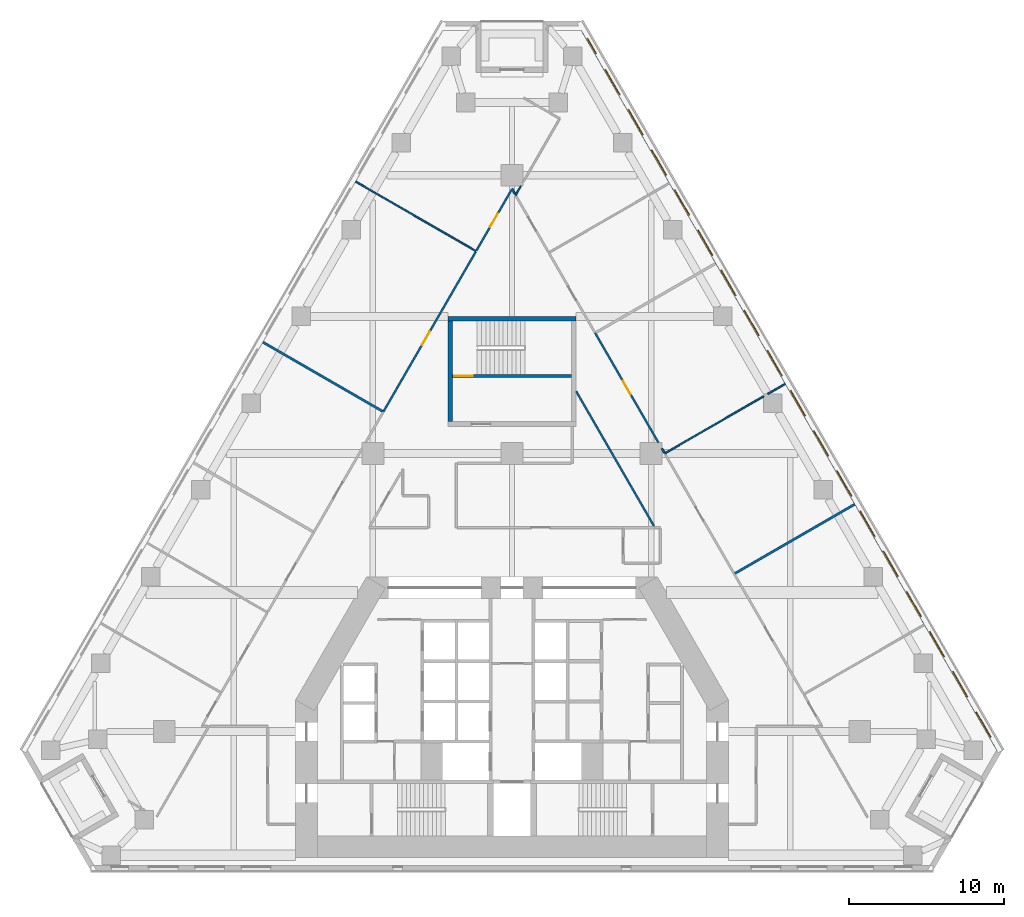
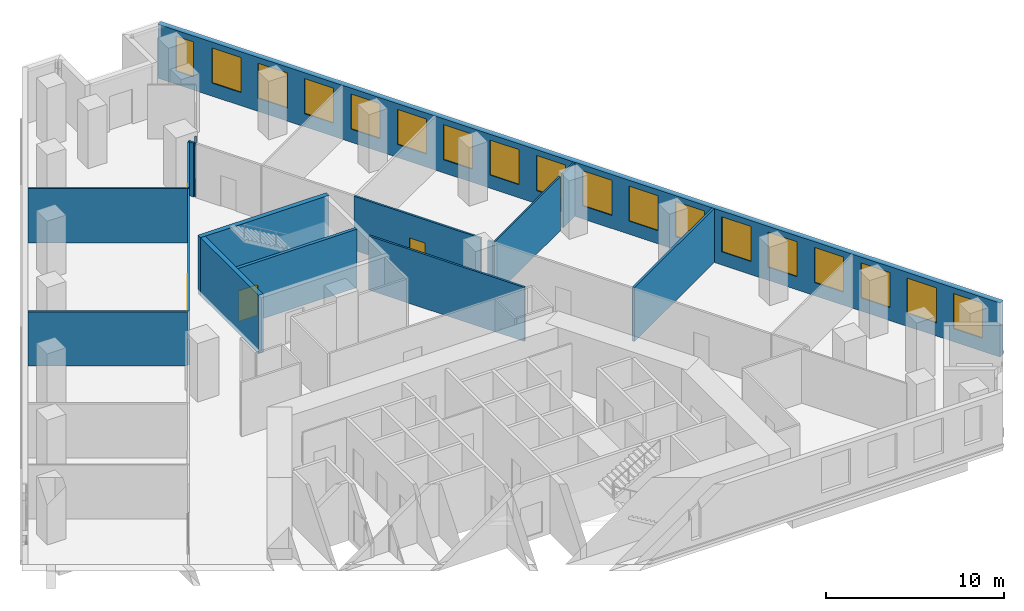
# One storey, part 8 of 11: 18 windows, 16 walls, 4 doors, 22 openings.
"""IFC4 building model written with IfcOpenShell, lengths in metres."""

import ifcopenshell
import ifcopenshell.guid

model = None  # the IFC model being written
_history = None  # IfcOwnerHistory: only IFC2X3 demands one
_inside = {}  # id of a spatial element -> (the spatial element, [elements in it])
_under = {}  # id of a project, library or spatial element -> (it, [spatial elements below it])
_declared = {}  # id of a project -> (the project, [libraries it declares])
_typed = {}  # id of a type object -> (the type object, [elements of that type])
_made_of = {}  # id of a material, layer set ... -> (it, [elements and type objects made of it])


def new_model(schema):
    """Start an empty IFC model of exactly this schema.

    Asked for "IFC4X3", IfcOpenShell would pick the latest addendum, in which some entities
    have other attributes; the version numbers below select the first issue.
    IFC2X3 requires an IfcOwnerHistory on every rooted entity: one is made here for all.
    """
    global model, _history
    if schema == "IFC4X3":
        model = ifcopenshell.file(schema_version=(4, 3, 0, 0))
    else:
        model = ifcopenshell.file(schema=schema)
    _inside.clear()
    _under.clear()
    _declared.clear()
    _typed.clear()
    _made_of.clear()
    _history = None
    if model.schema == "IFC2X3":
        org = make("IfcOrganization", Name="unknown")
        user = make(
            "IfcPersonAndOrganization",
            ThePerson=make("IfcPerson", FamilyName="unknown"),
            TheOrganization=org,
        )
        app = make(
            "IfcApplication",
            ApplicationDeveloper=org,
            Version="unknown",
            ApplicationFullName="unknown",
            ApplicationIdentifier="unknown",
        )
        _history = make(
            "IfcOwnerHistory",
            OwningUser=user,
            OwningApplication=app,
            ChangeAction="ADDED",
            CreationDate=0,
        )
    return model


def make(cls, **values):
    """One entity of the class cls with the attributes given. An attribute that is None is left unset."""
    return model.create_entity(
        cls, **{name: value for name, value in values.items() if value is not None}
    )


def rooted(cls, **values):
    """An entity with a GlobalId (a new one), such as an element, a storey or a relation."""
    return make(cls, GlobalId=ifcopenshell.guid.new(), OwnerHistory=_history, **values)


def si_unit(unit_type, name, prefix=None):
    """IfcSIUnit, for example si_unit("LENGTHUNIT", "METRE", prefix="MILLI")."""
    return make("IfcSIUnit", UnitType=unit_type, Prefix=prefix, Name=name)


def assignment(units):
    """IfcUnitAssignment: the units of a project."""
    return None if units is None else make("IfcUnitAssignment", Units=units)


def point(xyz):
    """IfcCartesianPoint."""
    return None if xyz is None else make("IfcCartesianPoint", Coordinates=xyz)


def direction(xyz):
    """IfcDirection."""
    return None if xyz is None else make("IfcDirection", DirectionRatios=xyz)


def frame(location, z_axis=None, x_axis=None):
    """IfcAxis2Placement3D, a coordinate frame: its origin and axes. An axis left out is left unset."""
    return make(
        "IfcAxis2Placement3D",
        Location=point(location),
        Axis=direction(z_axis),
        RefDirection=direction(x_axis),
    )


def frame_2d(location, x_axis=None):
    """IfcAxis2Placement2D, a coordinate frame in the plane: its origin and x axis."""
    return make(
        "IfcAxis2Placement2D", Location=point(location), RefDirection=direction(x_axis)
    )


def origin():
    """The frame at (0, 0, 0) with its axes left unset."""
    return frame((0.0, 0.0, 0.0))


def place(relative_to, where):
    """IfcLocalPlacement: puts the frame where relative to a parent placement (None: the world)."""
    return make(
        "IfcLocalPlacement", PlacementRelTo=relative_to, RelativePlacement=where
    )


def context(
    kind, dimensions, precision=None, world=None, true_north=None, identifier=None
):
    """IfcGeometricRepresentationContext, for example the 3D "Model" context."""
    return make(
        "IfcGeometricRepresentationContext",
        ContextIdentifier=identifier,
        ContextType=kind,
        CoordinateSpaceDimension=dimensions,
        Precision=precision,
        WorldCoordinateSystem=world,
        TrueNorth=true_north,
    )


def subcontext(parent, identifier, kind, view, scale=None):
    """IfcGeometricRepresentationSubContext, for example "Body" below "Model"."""
    return make(
        "IfcGeometricRepresentationSubContext",
        ContextIdentifier=identifier,
        ContextType=kind,
        ParentContext=parent,
        TargetScale=scale,
        TargetView=view,
    )


def project(units=None, contexts=None):
    """IfcProject with its units and contexts."""
    return rooted(
        "IfcProject",
        Name="project",
        RepresentationContexts=contexts,
        UnitsInContext=assignment(units),
    )


def spatial(cls, under=None, at=None, **own):
    """A site, building, storey or space (cls), placed at a placement, below another one or the project."""
    s = rooted(cls, ObjectPlacement=at, **own)
    if under is not None:
        _under.setdefault(under.id(), (under, []))[1].append(s)
    return s


def profile(cls, at=None, kind="AREA", **sizes):
    """A parametric profile (cls). Its sizes go by their IFC names, for example OverallWidth=200.0."""
    return make(cls, ProfileType=kind, Position=at, **sizes)


def rectangle(**sizes):
    """IfcRectangleProfileDef."""
    return profile("IfcRectangleProfileDef", **sizes)


def extrude(swept, where, along, depth):
    """IfcExtrudedAreaSolid: the profile swept, set in the frame where, extruded along a direction by depth."""
    return make(
        "IfcExtrudedAreaSolid",
        SweptArea=swept,
        Position=where,
        ExtrudedDirection=direction(along),
        Depth=depth,
    )


def shape(context_of_items, identifier, shape_type, items):
    """IfcShapeRepresentation: the items that make up one representation, for example the "Body"."""
    return make(
        "IfcShapeRepresentation",
        ContextOfItems=context_of_items,
        RepresentationIdentifier=identifier,
        RepresentationType=shape_type,
        Items=items,
    )


def material(Name=None, Category=None):
    """IfcMaterial."""
    return make("IfcMaterial", Name=Name, Category=Category)


def layer(
    of_material, thickness, ventilated=None, Name=None, Category=None, Priority=None
):
    """IfcMaterialLayer: one layer of a wall or slab, of a material (None: an air gap)."""
    return make(
        "IfcMaterialLayer",
        Material=of_material,
        LayerThickness=thickness,
        IsVentilated=ventilated,
        Name=Name,
        Category=Category,
        Priority=Priority,
    )


def layer_set(layers, Name=None):
    """IfcMaterialLayerSet."""
    return make("IfcMaterialLayerSet", MaterialLayers=layers, LayerSetName=Name)


def made_of(thing, what):
    """Note that an element or type object is made of a material, layer set ...; save() writes the relation."""
    if what is not None:
        _made_of.setdefault(what.id(), (what, []))[1].append(thing)
    return thing


def type_object(cls, material=None, **own):
    """A type object (cls), such as IfcWallType, which elements share."""
    return made_of(rooted(cls, **own), material)


def element(
    cls,
    number,
    at=None,
    inside=None,
    cuts=None,
    type_object=None,
    material=None,
    context=None,
    identifier="Body",
    shape_type=None,
    held_by="IfcProductDefinitionShape",
    body=None,
    shapes=None,
    **own,
):
    """One element of the class cls, such as IfcWall. Its Tag is "e" and its number.

    at: its placement. inside: the storey or other place that contains it. cuts: it is an
    opening in that element (IfcRelVoidsElement). A single representation is given by context,
    identifier, shape_type and body (its items); several are given by shapes. held_by: the class
    of the entity that holds the representations. save() writes the other relations.
    """
    e = rooted(cls, Tag="e%d" % number, ObjectPlacement=at, **own)
    if body is not None:
        shapes = [shape(context, identifier, shape_type, body)]
    if shapes is not None:
        e.Representation = make(held_by, Representations=shapes)
    if inside is not None:
        _inside.setdefault(inside.id(), (inside, []))[1].append(e)
    if cuts is not None:
        rooted(
            "IfcRelVoidsElement", RelatingBuildingElement=cuts, RelatedOpeningElement=e
        )
    if type_object is not None:
        _typed.setdefault(type_object.id(), (type_object, []))[1].append(e)
    return made_of(e, material)


def fill(opening, filler):
    """IfcRelFillsElement: the door or window that sits in an opening."""
    return rooted(
        "IfcRelFillsElement",
        RelatingOpeningElement=opening,
        RelatedBuildingElement=filler,
    )


def aggregate(whole, parts):
    """IfcRelAggregates: a whole, such as a stair, and the parts it consists of."""
    return rooted("IfcRelAggregates", RelatingObject=whole, RelatedObjects=parts)


def save(model, path):
    """Write the relations noted so far, then the file.

    IfcRelAggregates (storeys below a building ...), IfcRelContainedInSpatialStructure (elements
    in a storey), IfcRelDefinesByType, IfcRelAssociatesMaterial and IfcRelDeclares: one each for
    every whole, place, type object, material and project.
    """
    for whole, parts in _under.values():
        aggregate(whole, parts)
    for where, things in _inside.values():
        rooted(
            "IfcRelContainedInSpatialStructure",
            RelatedElements=things,
            RelatingStructure=where,
        )
    for kind, things in _typed.values():
        rooted("IfcRelDefinesByType", RelatedObjects=things, RelatingType=kind)
    for what, things in _made_of.values():
        rooted("IfcRelAssociatesMaterial", RelatedObjects=things, RelatingMaterial=what)
    for by, libraries in _declared.values():
        rooted("IfcRelDeclares", RelatingContext=by, RelatedDefinitions=libraries)
    model.write(path)


model = new_model("IFC4")

# Units and contexts
model_context = context("Model", 3, precision=1e-05, world=origin(), true_north=direction((0.0, 1.0)))
body_context = subcontext(model_context, "Body", "Model", "MODEL_VIEW")
ifc_project = project(units=[si_unit("LENGTHUNIT", "METRE"), si_unit("AREAUNIT", "SQUARE_METRE"), si_unit("VOLUMEUNIT", "CUBIC_METRE"), si_unit("PLANEANGLEUNIT", "RADIAN"), si_unit("MASSUNIT", "GRAM", prefix="KILO")], contexts=[model_context])

# Site, building, storey
site_placement = place(None, origin())
site = spatial("IfcSite", under=ifc_project, at=site_placement, CompositionType="ELEMENT")
building_placement = place(site_placement, origin())
building = spatial("IfcBuilding", under=site, at=building_placement, Name="Fogline Exchange Tower", CompositionType="ELEMENT")
storey_placement = place(building_placement, frame((0.0, 0.0, 60.89990234375)))
storey = spatial("IfcBuildingStorey", under=building, at=storey_placement, Name="L12", CompositionType="ELEMENT", Elevation=60.89990234375)

# Wall, opening, door
ifc_material_1 = material(Name="Concrete C40", Category="concrete")
ifc_layer_1 = layer(ifc_material_1, 0.199951171875)
ifc_layer_set_1 = layer_set([ifc_layer_1], Name="CW20R")
wall_type_1 = type_object("IfcWallType", Name="CW20R", PredefinedType="SOLIDWALL", material=ifc_layer_set_1)
wall_1_placement = place(storey_placement, frame((-3.85009765625, 32.007080078125, -0.2998046875), z_axis=(0.0, 0.0, 1.0), x_axis=(1.0, 0.0, 0.0)))
wall_1 = element("IfcWall", 1, at=wall_1_placement, inside=storey, type_object=wall_type_1, Name="Stair enclosure wall ST3", PredefinedType="SOLIDWALL", context=body_context, shape_type="SweptSolid", body=[
    extrude(rectangle(XDim=7.7001953125, YDim=0.199951171875, at=frame_2d((3.85009765625, 0.0))), origin(), (0.0, 0.0, 1.0), 4.0),
])
opening_1_placement = place(wall_1_placement, frame((0.10009765625, 0.0, 0.300048828125)))
opening_1 = element("IfcOpeningElement", 2, at=opening_1_placement, cuts=wall_1, Name="Opening T03-C024", PredefinedType="OPENING", context=body_context, shape_type="SweptSolid", body=[
    extrude(rectangle(XDim=1.199951171875, YDim=2.10009765625, at=frame_2d((0.60009765625, 1.050048828125))), frame((0.0, 0.10986328125, 0.0), z_axis=(0.0, -1.0, 0.0), x_axis=(1.0, 0.0, 0.0)), (0.0, 0.0, 1.0), 0.219970703125),
])
ifc_material_2 = material(Name="Steel and timber fire door", Category="steel")
door_type_1 = type_object("IfcDoorType", Name="D-ST1", OperationType="SINGLE_SWING_LEFT", PredefinedType="DOOR", material=ifc_material_2)
door_1_placement = place(opening_1_placement, origin())
door_1 = element("IfcDoor", 3, at=door_1_placement, inside=storey, type_object=door_type_1, Name="Stair door ST3", OperationType="SINGLE_SWING_LEFT", OverallHeight=2.10009765625, OverallWidth=1.199951171875, PredefinedType="DOOR", context=body_context, shape_type="SweptSolid", body=[
    extrude(rectangle(XDim=1.199951171875, YDim=2.10009765625, at=frame_2d((0.60009765625, 1.050048828125))), frame((0.0, 0.02490234375, 0.0), z_axis=(0.0, -1.0, 0.0), x_axis=(1.0, 0.0, 0.0)), (0.0, 0.0, 1.0), 0.050048828125),
])
fill(opening_1, door_1)

# Walls
ifc_layer_2 = layer(ifc_material_1, 0.300048828125)
ifc_layer_set_2 = layer_set([ifc_layer_2], Name="CW30")
wall_type_2 = type_object("IfcWallType", Name="CW30", PredefinedType="SOLIDWALL", material=ifc_layer_set_2)
wall_2_placement = place(storey_placement, frame((-4.14990234375, 35.70703125, -0.2998046875), z_axis=(0.0, 0.0, 1.0), x_axis=(1.0, 0.0, 0.0)))
element("IfcWall", 4, at=wall_2_placement, inside=storey, type_object=wall_type_2, Name="Stair enclosure wall ST3", PredefinedType="SOLIDWALL", context=body_context, shape_type="SweptSolid", body=[
    extrude(rectangle(XDim=8.2998046875, YDim=0.300048828125, at=frame_2d((4.14990234375, 0.0))), origin(), (0.0, 0.0, 1.0), 4.0),
])
wall_3_placement = place(storey_placement, frame((-4.0, 29.056884765625, -0.2998046875), z_axis=(0.0, 0.0, 1.0), x_axis=(0.0, 1.0, 0.0)))
element("IfcWall", 5, at=wall_3_placement, inside=storey, type_object=wall_type_2, Name="Stair enclosure wall ST3", PredefinedType="SOLIDWALL", context=body_context, shape_type="SweptSolid", body=[
    extrude(rectangle(XDim=6.5, YDim=0.300048828125, at=frame_2d((3.25, 0.0))), origin(), (0.0, 0.0, 1.0), 4.0),
])

# Wall, openings, windows
ifc_material_3 = material(Name="Brick masonry", Category="masonry")
ifc_layer_3 = layer(ifc_material_3, 0.340087890625)
ifc_layer_set_3 = layer_set([ifc_layer_3], Name="FW1")
wall_type_3 = type_object("IfcWallType", Name="FW1", PredefinedType="SOLIDWALL", material=ifc_layer_set_3)
wall_4_placement = place(storey_placement, frame((31.60791015625, 7.709228515625, 0.0), z_axis=(0.0, 0.0, 1.0), x_axis=(-0.499997975305, 0.86602657274, 0.0)))
wall_4 = element("IfcWall", 6, at=wall_4_placement, inside=storey, type_object=wall_type_3, Name="Brick wall L12 E", PredefinedType="SOLIDWALL", context=body_context, shape_type="SweptSolid", body=[
    extrude(rectangle(XDim=54.510498046875, YDim=0.340087890625, at=frame_2d((27.25537109375, 0.0))), origin(), (0.0, 0.0, 1.0), 3.7001953125),
])
opening_2_placement = place(wall_4_placement, frame((1.127685546875, 0.0, 0.89990234375)))
opening_2 = element("IfcOpeningElement", 7, at=opening_2_placement, cuts=wall_4, Name="Opening W1", PredefinedType="OPENING", context=body_context, shape_type="SweptSolid", body=[
    extrude(rectangle(XDim=1.885009765625, YDim=2.39990234375, at=frame_2d((0.9423828125, 1.199951171875))), frame((0.0, 0.18017578125, 0.0), z_axis=(0.0, -1.0, 0.0), x_axis=(1.0, 0.0, 0.0)), (0.0, 0.0, 1.0), 0.360107421875),
])
opening_3_placement = place(wall_4_placement, frame((4.127685546875, 0.0, 0.89990234375)))
opening_3 = element("IfcOpeningElement", 8, at=opening_3_placement, cuts=wall_4, Name="Opening W1", PredefinedType="OPENING", context=body_context, shape_type="SweptSolid", body=[
    extrude(rectangle(XDim=1.885009765625, YDim=2.39990234375, at=frame_2d((0.9423828125, 1.199951171875))), frame((0.0, 0.18017578125, 0.0), z_axis=(0.0, -1.0, 0.0), x_axis=(1.0, 0.0, 0.0)), (0.0, 0.0, 1.0), 0.360107421875),
])
opening_4_placement = place(wall_4_placement, frame((7.127685546875, 0.0, 0.89990234375)))
opening_4 = element("IfcOpeningElement", 9, at=opening_4_placement, cuts=wall_4, Name="Opening W1", PredefinedType="OPENING", context=body_context, shape_type="SweptSolid", body=[
    extrude(rectangle(XDim=1.885009765625, YDim=2.39990234375, at=frame_2d((0.9423828125, 1.199951171875))), frame((0.0, 0.18017578125, 0.0), z_axis=(0.0, -1.0, 0.0), x_axis=(1.0, 0.0, 0.0)), (0.0, 0.0, 1.0), 0.360107421875),
])
opening_5_placement = place(wall_4_placement, frame((10.127685546875, 0.0, 0.89990234375)))
opening_5 = element("IfcOpeningElement", 10, at=opening_5_placement, cuts=wall_4, Name="Opening W1", PredefinedType="OPENING", context=body_context, shape_type="SweptSolid", body=[
    extrude(rectangle(XDim=1.885009765625, YDim=2.39990234375, at=frame_2d((0.9423828125, 1.199951171875))), frame((0.0, 0.18017578125, 0.0), z_axis=(0.0, -1.0, 0.0), x_axis=(1.0, 0.0, 0.0)), (0.0, 0.0, 1.0), 0.360107421875),
])
opening_6_placement = place(wall_4_placement, frame((13.127685546875, 0.0, 0.89990234375)))
opening_6 = element("IfcOpeningElement", 11, at=opening_6_placement, cuts=wall_4, Name="Opening W1", PredefinedType="OPENING", context=body_context, shape_type="SweptSolid", body=[
    extrude(rectangle(XDim=1.885009765625, YDim=2.39990234375, at=frame_2d((0.9423828125, 1.199951171875))), frame((0.0, 0.18017578125, 0.0), z_axis=(0.0, -1.0, 0.0), x_axis=(1.0, 0.0, 0.0)), (0.0, 0.0, 1.0), 0.360107421875),
])
opening_7_placement = place(wall_4_placement, frame((16.127685546875, 0.0, 0.89990234375)))
opening_7 = element("IfcOpeningElement", 12, at=opening_7_placement, cuts=wall_4, Name="Opening W1", PredefinedType="OPENING", context=body_context, shape_type="SweptSolid", body=[
    extrude(rectangle(XDim=1.885009765625, YDim=2.39990234375, at=frame_2d((0.9423828125, 1.199951171875))), frame((0.0, 0.18017578125, 0.0), z_axis=(0.0, -1.0, 0.0), x_axis=(1.0, 0.0, 0.0)), (0.0, 0.0, 1.0), 0.360107421875),
])
opening_8_placement = place(wall_4_placement, frame((19.127685546875, 0.0, 0.89990234375)))
opening_8 = element("IfcOpeningElement", 13, at=opening_8_placement, cuts=wall_4, Name="Opening W1", PredefinedType="OPENING", context=body_context, shape_type="SweptSolid", body=[
    extrude(rectangle(XDim=1.885009765625, YDim=2.39990234375, at=frame_2d((0.9423828125, 1.199951171875))), frame((0.0, 0.18017578125, 0.0), z_axis=(0.0, -1.0, 0.0), x_axis=(1.0, 0.0, 0.0)), (0.0, 0.0, 1.0), 0.360107421875),
])
opening_9_placement = place(wall_4_placement, frame((22.127685546875, 0.0, 0.89990234375)))
opening_9 = element("IfcOpeningElement", 14, at=opening_9_placement, cuts=wall_4, Name="Opening W1", PredefinedType="OPENING", context=body_context, shape_type="SweptSolid", body=[
    extrude(rectangle(XDim=1.885009765625, YDim=2.39990234375, at=frame_2d((0.9423828125, 1.199951171875))), frame((0.0, 0.18017578125, 0.0), z_axis=(0.0, -1.0, 0.0), x_axis=(1.0, 0.0, 0.0)), (0.0, 0.0, 1.0), 0.360107421875),
])
opening_10_placement = place(wall_4_placement, frame((25.127685546875, 0.0, 0.89990234375)))
opening_10 = element("IfcOpeningElement", 15, at=opening_10_placement, cuts=wall_4, Name="Opening W1", PredefinedType="OPENING", context=body_context, shape_type="SweptSolid", body=[
    extrude(rectangle(XDim=1.885009765625, YDim=2.39990234375, at=frame_2d((0.9423828125, 1.199951171875))), frame((0.0, 0.18017578125, 0.0), z_axis=(0.0, -1.0, 0.0), x_axis=(1.0, 0.0, 0.0)), (0.0, 0.0, 1.0), 0.360107421875),
])
opening_11_placement = place(wall_4_placement, frame((28.127685546875, 0.0, 0.89990234375)))
opening_11 = element("IfcOpeningElement", 16, at=opening_11_placement, cuts=wall_4, Name="Opening W1", PredefinedType="OPENING", context=body_context, shape_type="SweptSolid", body=[
    extrude(rectangle(XDim=1.885009765625, YDim=2.39990234375, at=frame_2d((0.9423828125, 1.199951171875))), frame((0.0, 0.18017578125, 0.0), z_axis=(0.0, -1.0, 0.0), x_axis=(1.0, 0.0, 0.0)), (0.0, 0.0, 1.0), 0.360107421875),
])
opening_12_placement = place(wall_4_placement, frame((31.127685546875, 0.0, 0.89990234375)))
opening_12 = element("IfcOpeningElement", 17, at=opening_12_placement, cuts=wall_4, Name="Opening W1", PredefinedType="OPENING", context=body_context, shape_type="SweptSolid", body=[
    extrude(rectangle(XDim=1.885009765625, YDim=2.39990234375, at=frame_2d((0.9423828125, 1.199951171875))), frame((0.0, 0.18017578125, 0.0), z_axis=(0.0, -1.0, 0.0), x_axis=(1.0, 0.0, 0.0)), (0.0, 0.0, 1.0), 0.360107421875),
])
opening_13_placement = place(wall_4_placement, frame((34.127685546875, 0.0, 0.89990234375)))
opening_13 = element("IfcOpeningElement", 18, at=opening_13_placement, cuts=wall_4, Name="Opening W1", PredefinedType="OPENING", context=body_context, shape_type="SweptSolid", body=[
    extrude(rectangle(XDim=1.885009765625, YDim=2.39990234375, at=frame_2d((0.9423828125, 1.199951171875))), frame((0.0, 0.18017578125, 0.0), z_axis=(0.0, -1.0, 0.0), x_axis=(1.0, 0.0, 0.0)), (0.0, 0.0, 1.0), 0.360107421875),
])
opening_14_placement = place(wall_4_placement, frame((37.127685546875, 0.0, 0.89990234375)))
opening_14 = element("IfcOpeningElement", 19, at=opening_14_placement, cuts=wall_4, Name="Opening W1", PredefinedType="OPENING", context=body_context, shape_type="SweptSolid", body=[
    extrude(rectangle(XDim=1.885009765625, YDim=2.39990234375, at=frame_2d((0.9423828125, 1.199951171875))), frame((0.0, 0.18017578125, 0.0), z_axis=(0.0, -1.0, 0.0), x_axis=(1.0, 0.0, 0.0)), (0.0, 0.0, 1.0), 0.360107421875),
])
opening_15_placement = place(wall_4_placement, frame((40.127685546875, 0.0, 0.89990234375)))
opening_15 = element("IfcOpeningElement", 20, at=opening_15_placement, cuts=wall_4, Name="Opening W1", PredefinedType="OPENING", context=body_context, shape_type="SweptSolid", body=[
    extrude(rectangle(XDim=1.885009765625, YDim=2.39990234375, at=frame_2d((0.9423828125, 1.199951171875))), frame((0.0, 0.18017578125, 0.0), z_axis=(0.0, -1.0, 0.0), x_axis=(1.0, 0.0, 0.0)), (0.0, 0.0, 1.0), 0.360107421875),
])
opening_16_placement = place(wall_4_placement, frame((43.127685546875, 0.0, 0.89990234375)))
opening_16 = element("IfcOpeningElement", 21, at=opening_16_placement, cuts=wall_4, Name="Opening W1", PredefinedType="OPENING", context=body_context, shape_type="SweptSolid", body=[
    extrude(rectangle(XDim=1.885009765625, YDim=2.39990234375, at=frame_2d((0.9423828125, 1.199951171875))), frame((0.0, 0.18017578125, 0.0), z_axis=(0.0, -1.0, 0.0), x_axis=(1.0, 0.0, 0.0)), (0.0, 0.0, 1.0), 0.360107421875),
])
opening_17_placement = place(wall_4_placement, frame((46.127685546875, 0.0, 0.89990234375)))
opening_17 = element("IfcOpeningElement", 22, at=opening_17_placement, cuts=wall_4, Name="Opening W1", PredefinedType="OPENING", context=body_context, shape_type="SweptSolid", body=[
    extrude(rectangle(XDim=1.885009765625, YDim=2.39990234375, at=frame_2d((0.9423828125, 1.199951171875))), frame((0.0, 0.18017578125, 0.0), z_axis=(0.0, -1.0, 0.0), x_axis=(1.0, 0.0, 0.0)), (0.0, 0.0, 1.0), 0.360107421875),
])
opening_18_placement = place(wall_4_placement, frame((49.127685546875, 0.0, 0.89990234375)))
opening_18 = element("IfcOpeningElement", 23, at=opening_18_placement, cuts=wall_4, Name="Opening W1", PredefinedType="OPENING", context=body_context, shape_type="SweptSolid", body=[
    extrude(rectangle(XDim=1.885009765625, YDim=2.39990234375, at=frame_2d((0.9423828125, 1.199951171875))), frame((0.0, 0.18017578125, 0.0), z_axis=(0.0, -1.0, 0.0), x_axis=(1.0, 0.0, 0.0)), (0.0, 0.0, 1.0), 0.360107421875),
])
opening_19_placement = place(wall_4_placement, frame((52.2041015625, 0.0, 0.89990234375)))
opening_19 = element("IfcOpeningElement", 24, at=opening_19_placement, cuts=wall_4, Name="Opening W4", PredefinedType="OPENING", context=body_context, shape_type="SweptSolid", body=[
    extrude(rectangle(XDim=1.114990234375, YDim=2.39990234375, at=frame_2d((0.5576171875, 1.199951171875))), frame((0.0, 0.18017578125, 0.0), z_axis=(0.0, -1.0, 0.0), x_axis=(1.0, 0.0, 0.0)), (0.0, 0.0, 1.0), 0.360107421875),
])
ifc_material_4 = material(Name="Aluminium and glass", Category="aluminium")
window_type_1 = type_object("IfcWindowType", Name="W1", PartitioningType="SINGLE_PANEL", PredefinedType="WINDOW", material=ifc_material_4)
window_1_placement = place(opening_2_placement, origin())
window_1 = element("IfcWindow", 25, at=window_1_placement, inside=storey, type_object=window_type_1, Name="W1 W1", OverallHeight=2.39990234375, OverallWidth=1.885009765625, PartitioningType="SINGLE_PANEL", PredefinedType="WINDOW", context=body_context, shape_type="SweptSolid", body=[
    extrude(rectangle(XDim=1.885009765625, YDim=2.39990234375, at=frame_2d((0.9423828125, 1.199951171875))), frame((0.0, 0.110107421875, 0.0), z_axis=(0.0, -1.0, 0.0), x_axis=(1.0, 0.0, 0.0)), (0.0, 0.0, 1.0), 0.06005859375),
])
fill(opening_2, window_1)
window_2_placement = place(opening_3_placement, origin())
window_2 = element("IfcWindow", 26, at=window_2_placement, inside=storey, type_object=window_type_1, Name="W1 W1", OverallHeight=2.39990234375, OverallWidth=1.885009765625, PartitioningType="SINGLE_PANEL", PredefinedType="WINDOW", context=body_context, shape_type="SweptSolid", body=[
    extrude(rectangle(XDim=1.885009765625, YDim=2.39990234375, at=frame_2d((0.9423828125, 1.199951171875))), frame((0.0, 0.110107421875, 0.0), z_axis=(0.0, -1.0, 0.0), x_axis=(1.0, 0.0, 0.0)), (0.0, 0.0, 1.0), 0.06005859375),
])
fill(opening_3, window_2)
window_3_placement = place(opening_4_placement, origin())
window_3 = element("IfcWindow", 27, at=window_3_placement, inside=storey, type_object=window_type_1, Name="W1 W1", OverallHeight=2.39990234375, OverallWidth=1.885009765625, PartitioningType="SINGLE_PANEL", PredefinedType="WINDOW", context=body_context, shape_type="SweptSolid", body=[
    extrude(rectangle(XDim=1.885009765625, YDim=2.39990234375, at=frame_2d((0.9423828125, 1.199951171875))), frame((0.0, 0.110107421875, 0.0), z_axis=(0.0, -1.0, 0.0), x_axis=(1.0, 0.0, 0.0)), (0.0, 0.0, 1.0), 0.06005859375),
])
fill(opening_4, window_3)
window_4_placement = place(opening_5_placement, origin())
window_4 = element("IfcWindow", 28, at=window_4_placement, inside=storey, type_object=window_type_1, Name="W1 W1", OverallHeight=2.39990234375, OverallWidth=1.885009765625, PartitioningType="SINGLE_PANEL", PredefinedType="WINDOW", context=body_context, shape_type="SweptSolid", body=[
    extrude(rectangle(XDim=1.885009765625, YDim=2.39990234375, at=frame_2d((0.9423828125, 1.199951171875))), frame((0.0, 0.110107421875, 0.0), z_axis=(0.0, -1.0, 0.0), x_axis=(1.0, 0.0, 0.0)), (0.0, 0.0, 1.0), 0.06005859375),
])
fill(opening_5, window_4)
window_5_placement = place(opening_6_placement, origin())
window_5 = element("IfcWindow", 29, at=window_5_placement, inside=storey, type_object=window_type_1, Name="W1 W1", OverallHeight=2.39990234375, OverallWidth=1.885009765625, PartitioningType="SINGLE_PANEL", PredefinedType="WINDOW", context=body_context, shape_type="SweptSolid", body=[
    extrude(rectangle(XDim=1.885009765625, YDim=2.39990234375, at=frame_2d((0.9423828125, 1.199951171875))), frame((0.0, 0.110107421875, 0.0), z_axis=(0.0, -1.0, 0.0), x_axis=(1.0, 0.0, 0.0)), (0.0, 0.0, 1.0), 0.06005859375),
])
fill(opening_6, window_5)
window_6_placement = place(opening_7_placement, origin())
window_6 = element("IfcWindow", 30, at=window_6_placement, inside=storey, type_object=window_type_1, Name="W1 W1", OverallHeight=2.39990234375, OverallWidth=1.885009765625, PartitioningType="SINGLE_PANEL", PredefinedType="WINDOW", context=body_context, shape_type="SweptSolid", body=[
    extrude(rectangle(XDim=1.885009765625, YDim=2.39990234375, at=frame_2d((0.9423828125, 1.199951171875))), frame((0.0, 0.110107421875, 0.0), z_axis=(0.0, -1.0, 0.0), x_axis=(1.0, 0.0, 0.0)), (0.0, 0.0, 1.0), 0.06005859375),
])
fill(opening_7, window_6)
window_7_placement = place(opening_8_placement, origin())
window_7 = element("IfcWindow", 31, at=window_7_placement, inside=storey, type_object=window_type_1, Name="W1 W1", OverallHeight=2.39990234375, OverallWidth=1.885009765625, PartitioningType="SINGLE_PANEL", PredefinedType="WINDOW", context=body_context, shape_type="SweptSolid", body=[
    extrude(rectangle(XDim=1.885009765625, YDim=2.39990234375, at=frame_2d((0.9423828125, 1.199951171875))), frame((0.0, 0.110107421875, 0.0), z_axis=(0.0, -1.0, 0.0), x_axis=(1.0, 0.0, 0.0)), (0.0, 0.0, 1.0), 0.06005859375),
])
fill(opening_8, window_7)
window_8_placement = place(opening_9_placement, origin())
window_8 = element("IfcWindow", 32, at=window_8_placement, inside=storey, type_object=window_type_1, Name="W1 W1", OverallHeight=2.39990234375, OverallWidth=1.885009765625, PartitioningType="SINGLE_PANEL", PredefinedType="WINDOW", context=body_context, shape_type="SweptSolid", body=[
    extrude(rectangle(XDim=1.885009765625, YDim=2.39990234375, at=frame_2d((0.9423828125, 1.199951171875))), frame((0.0, 0.110107421875, 0.0), z_axis=(0.0, -1.0, 0.0), x_axis=(1.0, 0.0, 0.0)), (0.0, 0.0, 1.0), 0.06005859375),
])
fill(opening_9, window_8)
window_9_placement = place(opening_10_placement, origin())
window_9 = element("IfcWindow", 33, at=window_9_placement, inside=storey, type_object=window_type_1, Name="W1 W1", OverallHeight=2.39990234375, OverallWidth=1.885009765625, PartitioningType="SINGLE_PANEL", PredefinedType="WINDOW", context=body_context, shape_type="SweptSolid", body=[
    extrude(rectangle(XDim=1.885009765625, YDim=2.39990234375, at=frame_2d((0.9423828125, 1.199951171875))), frame((0.0, 0.110107421875, 0.0), z_axis=(0.0, -1.0, 0.0), x_axis=(1.0, 0.0, 0.0)), (0.0, 0.0, 1.0), 0.06005859375),
])
fill(opening_10, window_9)
window_10_placement = place(opening_11_placement, origin())
window_10 = element("IfcWindow", 34, at=window_10_placement, inside=storey, type_object=window_type_1, Name="W1 W1", OverallHeight=2.39990234375, OverallWidth=1.885009765625, PartitioningType="SINGLE_PANEL", PredefinedType="WINDOW", context=body_context, shape_type="SweptSolid", body=[
    extrude(rectangle(XDim=1.885009765625, YDim=2.39990234375, at=frame_2d((0.9423828125, 1.199951171875))), frame((0.0, 0.110107421875, 0.0), z_axis=(0.0, -1.0, 0.0), x_axis=(1.0, 0.0, 0.0)), (0.0, 0.0, 1.0), 0.06005859375),
])
fill(opening_11, window_10)
window_11_placement = place(opening_12_placement, origin())
window_11 = element("IfcWindow", 35, at=window_11_placement, inside=storey, type_object=window_type_1, Name="W1 W1", OverallHeight=2.39990234375, OverallWidth=1.885009765625, PartitioningType="SINGLE_PANEL", PredefinedType="WINDOW", context=body_context, shape_type="SweptSolid", body=[
    extrude(rectangle(XDim=1.885009765625, YDim=2.39990234375, at=frame_2d((0.9423828125, 1.199951171875))), frame((0.0, 0.110107421875, 0.0), z_axis=(0.0, -1.0, 0.0), x_axis=(1.0, 0.0, 0.0)), (0.0, 0.0, 1.0), 0.06005859375),
])
fill(opening_12, window_11)
window_12_placement = place(opening_13_placement, origin())
window_12 = element("IfcWindow", 36, at=window_12_placement, inside=storey, type_object=window_type_1, Name="W1 W1", OverallHeight=2.39990234375, OverallWidth=1.885009765625, PartitioningType="SINGLE_PANEL", PredefinedType="WINDOW", context=body_context, shape_type="SweptSolid", body=[
    extrude(rectangle(XDim=1.885009765625, YDim=2.39990234375, at=frame_2d((0.9423828125, 1.199951171875))), frame((0.0, 0.110107421875, 0.0), z_axis=(0.0, -1.0, 0.0), x_axis=(1.0, 0.0, 0.0)), (0.0, 0.0, 1.0), 0.06005859375),
])
fill(opening_13, window_12)
window_13_placement = place(opening_14_placement, origin())
window_13 = element("IfcWindow", 37, at=window_13_placement, inside=storey, type_object=window_type_1, Name="W1 W1", OverallHeight=2.39990234375, OverallWidth=1.885009765625, PartitioningType="SINGLE_PANEL", PredefinedType="WINDOW", context=body_context, shape_type="SweptSolid", body=[
    extrude(rectangle(XDim=1.885009765625, YDim=2.39990234375, at=frame_2d((0.9423828125, 1.199951171875))), frame((0.0, 0.110107421875, 0.0), z_axis=(0.0, -1.0, 0.0), x_axis=(1.0, 0.0, 0.0)), (0.0, 0.0, 1.0), 0.06005859375),
])
fill(opening_14, window_13)
window_14_placement = place(opening_15_placement, origin())
window_14 = element("IfcWindow", 38, at=window_14_placement, inside=storey, type_object=window_type_1, Name="W1 W1", OverallHeight=2.39990234375, OverallWidth=1.885009765625, PartitioningType="SINGLE_PANEL", PredefinedType="WINDOW", context=body_context, shape_type="SweptSolid", body=[
    extrude(rectangle(XDim=1.885009765625, YDim=2.39990234375, at=frame_2d((0.9423828125, 1.199951171875))), frame((0.0, 0.110107421875, 0.0), z_axis=(0.0, -1.0, 0.0), x_axis=(1.0, 0.0, 0.0)), (0.0, 0.0, 1.0), 0.06005859375),
])
fill(opening_15, window_14)
window_15_placement = place(opening_16_placement, origin())
window_15 = element("IfcWindow", 39, at=window_15_placement, inside=storey, type_object=window_type_1, Name="W1 W1", OverallHeight=2.39990234375, OverallWidth=1.885009765625, PartitioningType="SINGLE_PANEL", PredefinedType="WINDOW", context=body_context, shape_type="SweptSolid", body=[
    extrude(rectangle(XDim=1.885009765625, YDim=2.39990234375, at=frame_2d((0.9423828125, 1.199951171875))), frame((0.0, 0.110107421875, 0.0), z_axis=(0.0, -1.0, 0.0), x_axis=(1.0, 0.0, 0.0)), (0.0, 0.0, 1.0), 0.06005859375),
])
fill(opening_16, window_15)
window_16_placement = place(opening_17_placement, origin())
window_16 = element("IfcWindow", 40, at=window_16_placement, inside=storey, type_object=window_type_1, Name="W1 W1", OverallHeight=2.39990234375, OverallWidth=1.885009765625, PartitioningType="SINGLE_PANEL", PredefinedType="WINDOW", context=body_context, shape_type="SweptSolid", body=[
    extrude(rectangle(XDim=1.885009765625, YDim=2.39990234375, at=frame_2d((0.9423828125, 1.199951171875))), frame((0.0, 0.110107421875, 0.0), z_axis=(0.0, -1.0, 0.0), x_axis=(1.0, 0.0, 0.0)), (0.0, 0.0, 1.0), 0.06005859375),
])
fill(opening_17, window_16)
window_17_placement = place(opening_18_placement, origin())
window_17 = element("IfcWindow", 41, at=window_17_placement, inside=storey, type_object=window_type_1, Name="W1 W1", OverallHeight=2.39990234375, OverallWidth=1.885009765625, PartitioningType="SINGLE_PANEL", PredefinedType="WINDOW", context=body_context, shape_type="SweptSolid", body=[
    extrude(rectangle(XDim=1.885009765625, YDim=2.39990234375, at=frame_2d((0.9423828125, 1.199951171875))), frame((0.0, 0.110107421875, 0.0), z_axis=(0.0, -1.0, 0.0), x_axis=(1.0, 0.0, 0.0)), (0.0, 0.0, 1.0), 0.06005859375),
])
fill(opening_18, window_17)
window_type_2 = type_object("IfcWindowType", Name="W4", PartitioningType="SINGLE_PANEL", PredefinedType="WINDOW", material=ifc_material_4)
window_18_placement = place(opening_19_placement, origin())
window_18 = element("IfcWindow", 42, at=window_18_placement, inside=storey, type_object=window_type_2, Name="W4 W4", OverallHeight=2.39990234375, OverallWidth=1.114990234375, PartitioningType="SINGLE_PANEL", PredefinedType="WINDOW", context=body_context, shape_type="SweptSolid", body=[
    extrude(rectangle(XDim=1.114990234375, YDim=2.39990234375, at=frame_2d((0.5576171875, 1.199951171875))), frame((0.0, 0.110107421875, 0.0), z_axis=(0.0, -1.0, 0.0), x_axis=(1.0, 0.0, 0.0)), (0.0, 0.0, 1.0), 0.06005859375),
])
fill(opening_19, window_18)

# Walls
ifc_material_5 = material(Name="Plasterboard partition, 2 layers each side on steel studs", Category="steel")
ifc_layer_4 = layer(ifc_material_5, 0.10009765625)
ifc_layer_set_4 = layer_set([ifc_layer_4], Name="PW1")
wall_type_4 = type_object("IfcWallType", Name="PW1", PredefinedType="PARTITIONING", material=ifc_layer_set_4)
wall_5_placement = place(storey_placement, frame((9.881591796875, 27.00048828125, 0.0), z_axis=(0.0, 0.0, 1.0), x_axis=(0.86601304703, 0.500021401916, 0.0)))
element("IfcWall", 43, at=wall_5_placement, inside=storey, type_object=wall_type_4, Name="wall-L12-W040", PredefinedType="PARTITIONING", context=body_context, shape_type="SweptSolid", body=[
    extrude(rectangle(XDim=7.399169921875, YDim=0.10009765625, at=frame_2d((3.69970703125, 0.0))), origin(), (0.0, 0.0, 1.0), 3.7001953125),
])
wall_6_placement = place(storey_placement, frame((16.553955078125, 30.852783203125, 0.0), z_axis=(0.0, 0.0, 1.0), x_axis=(0.866019241107, 0.500010673919, 0.0)))
element("IfcWall", 44, at=wall_6_placement, inside=storey, type_object=wall_type_4, Name="wall-L12-W041", PredefinedType="PARTITIONING", context=body_context, shape_type="SweptSolid", body=[
    extrude(rectangle(XDim=1.29541015625, YDim=0.10009765625, at=frame_2d((0.647705078125, 0.0))), origin(), (0.0, 0.0, 1.0), 3.7001953125),
])
wall_7_placement = place(storey_placement, frame((0.23095703125, 43.7158203125, 0.0), z_axis=(0.0, 0.0, 1.0), x_axis=(0.499837337514, 0.866119296648, 0.0)))
element("IfcWall", 45, at=wall_7_placement, inside=storey, type_object=wall_type_4, Name="wall-L12-W045", PredefinedType="PARTITIONING", context=body_context, shape_type="SweptSolid", body=[
    extrude(rectangle(XDim=0.674560546875, YDim=0.10009765625, at=frame_2d((0.33740234375, 0.0))), origin(), (0.0, 0.0, 1.0), 3.7001953125),
])
wall_8_placement = place(storey_placement, frame((-2.323974609375, 40.090576171875, 0.0), z_axis=(0.0, 0.0, 1.0), x_axis=(-0.866024315419, 0.5000018851, 0.0)))
element("IfcWall", 46, at=wall_8_placement, inside=storey, type_object=wall_type_4, Name="wall-L12-W048", PredefinedType="PARTITIONING", context=body_context, shape_type="SweptSolid", body=[
    extrude(rectangle(XDim=9.0, YDim=0.10009765625, at=frame_2d((4.5, 0.0))), origin(), (0.0, 0.0, 1.0), 3.7001953125),
])

# Wall, opening, door
ifc_material_6 = material(Name="Plasterboard corridor partition with mineral wool, 2 layers each side")
ifc_layer_5 = layer(ifc_material_6, 0.125)
ifc_layer_set_5 = layer_set([ifc_layer_5], Name="PW2")
wall_type_5 = type_object("IfcWallType", Name="PW2", PredefinedType="PARTITIONING", material=ifc_layer_set_5)
wall_9_placement = place(storey_placement, frame((5.381591796875, 34.794921875, 0.0), z_axis=(0.0, 0.0, 1.0), x_axis=(0.499991592391, -0.866030257865, 0.0)))
wall_9 = element("IfcWall", 47, at=wall_9_placement, inside=storey, type_object=wall_type_5, Name="wall-L12-W012", PredefinedType="PARTITIONING", context=body_context, shape_type="SweptSolid", body=[
    extrude(rectangle(XDim=8.192626953125, YDim=0.125, at=frame_2d((4.09619140625, 0.0))), origin(), (0.0, 0.0, 1.0), 3.7001953125),
])
opening_20_placement = place(wall_9_placement, frame((3.59619140625, 0.0, 0.0)))
opening_20 = element("IfcOpeningElement", 48, at=opening_20_placement, cuts=wall_9, Name="Opening T03-D006", PredefinedType="OPENING", context=body_context, shape_type="SweptSolid", body=[
    extrude(rectangle(XDim=1.0, YDim=2.10009765625, at=frame_2d((0.5, 1.050048828125))), frame((0.0, 0.072509765625, 0.0), z_axis=(0.0, -1.0, 0.0), x_axis=(1.0, 0.0, 0.0)), (0.0, 0.0, 1.0), 0.14501953125),
])
ifc_material_7 = material(Name="Fire-rated timber door leaf with steel frame", Category="steel")
door_type_2 = type_object("IfcDoorType", Name="D3", OperationType="SINGLE_SWING_LEFT", PredefinedType="DOOR", material=ifc_material_7)
door_2_placement = place(opening_20_placement, origin())
door_2 = element("IfcDoor", 49, at=door_2_placement, inside=storey, type_object=door_type_2, Name="door-L12-D006", OperationType="SINGLE_SWING_LEFT", OverallHeight=2.10009765625, OverallWidth=1.0, PredefinedType="DOOR", context=body_context, shape_type="SweptSolid", body=[
    extrude(rectangle(XDim=1.0, YDim=2.10009765625, at=frame_2d((0.5, 1.050048828125))), frame((0.0, 0.02490234375, 0.0), z_axis=(0.0, -1.0, 0.0), x_axis=(1.0, 0.0, 0.0)), (0.0, 0.0, 1.0), 0.050048828125),
])
fill(opening_20, door_2)

# Walls
wall_10_placement = place(storey_placement, frame((9.699951171875, 27.31494140625, 0.0), z_axis=(0.0, 0.0, 1.0), x_axis=(0.499835134068, -0.866120568253, 0.0)))
element("IfcWall", 50, at=wall_10_placement, inside=storey, type_object=wall_type_5, Name="wall-L12-W013", PredefinedType="PARTITIONING", context=body_context, shape_type="SweptSolid", body=[
    extrude(rectangle(XDim=0.3125, YDim=0.125, at=frame_2d((0.15625, 0.0))), origin(), (0.0, 0.0, 1.0), 3.7001953125),
])
wall_11_placement = place(storey_placement, frame((9.185302734375, 22.306640625, 0.0), z_axis=(0.0, 0.0, 1.0), x_axis=(-0.50001624924, 0.866016022078, 0.0)))
element("IfcWall", 51, at=wall_11_placement, inside=storey, type_object=wall_type_5, Name="wall-L12-W014", PredefinedType="PARTITIONING", context=body_context, shape_type="SweptSolid", body=[
    extrude(rectangle(XDim=10.070556640625, YDim=0.125, at=frame_2d((5.03515625, 0.0))), origin(), (0.0, 0.0, 1.0), 3.7001953125),
])

# Wall, opening, door
wall_12_placement = place(storey_placement, frame((-2.298828125, 40.13427734375, 0.0), z_axis=(0.0, 0.0, 1.0), x_axis=(0.49999394914, 0.866028897222, 0.0)))
wall_12 = element("IfcWall", 52, at=wall_12_placement, inside=storey, type_object=wall_type_5, Name="wall-L12-W017", PredefinedType="PARTITIONING", context=body_context, shape_type="SweptSolid", body=[
    extrude(rectangle(XDim=4.48876953125, YDim=0.125, at=frame_2d((2.244384765625, 0.0))), origin(), (0.0, 0.0, 1.0), 3.7001953125),
])
opening_21_placement = place(wall_12_placement, frame((1.744384765625, 0.0, 0.0)))
opening_21 = element("IfcOpeningElement", 53, at=opening_21_placement, cuts=wall_12, Name="Opening T03-D009", PredefinedType="OPENING", context=body_context, shape_type="SweptSolid", body=[
    extrude(rectangle(XDim=1.0, YDim=2.10009765625, at=frame_2d((0.5, 1.050048828125))), frame((0.0, 0.072509765625, 0.0), z_axis=(0.0, -1.0, 0.0), x_axis=(1.0, 0.0, 0.0)), (0.0, 0.0, 1.0), 0.14501953125),
])
door_3_placement = place(opening_21_placement, origin())
door_3 = element("IfcDoor", 54, at=door_3_placement, inside=storey, type_object=door_type_2, Name="door-L12-D009", OperationType="SINGLE_SWING_RIGHT", OverallHeight=2.10009765625, OverallWidth=1.0, PredefinedType="DOOR", context=body_context, shape_type="SweptSolid", body=[
    extrude(rectangle(XDim=1.0, YDim=2.10009765625, at=frame_2d((0.5, 1.050048828125))), frame((0.0, 0.02490234375, 0.0), z_axis=(0.0, -1.0, 0.0), x_axis=(1.0, 0.0, 0.0)), (0.0, 0.0, 1.0), 0.050048828125),
])
fill(opening_21, door_3)

# Wall
wall_13_placement = place(storey_placement, frame((0.0, 44.115966796875, 0.0), z_axis=(0.0, 0.0, 1.0), x_axis=(0.50006736263, -0.865986508459, 0.0)))
element("IfcWall", 55, at=wall_13_placement, inside=storey, type_object=wall_type_5, Name="wall-L12-W018", PredefinedType="PARTITIONING", context=body_context, shape_type="SweptSolid", body=[
    extrude(rectangle(XDim=0.36767578125, YDim=0.125, at=frame_2d((0.183837890625, 0.0))), origin(), (0.0, 0.0, 1.0), 3.7001953125),
])

# Wall, opening, door
wall_14_placement = place(storey_placement, frame((-8.323974609375, 29.6982421875, 0.0), z_axis=(0.0, 0.0, 1.0), x_axis=(0.500004241279, 0.866022955067, 0.0)))
wall_14 = element("IfcWall", 56, at=wall_14_placement, inside=storey, type_object=wall_type_5, Name="wall-L12-W019", PredefinedType="PARTITIONING", context=body_context, shape_type="SweptSolid", body=[
    extrude(rectangle(XDim=11.94970703125, YDim=0.125, at=frame_2d((5.974853515625, 0.0))), origin(), (0.0, 0.0, 1.0), 3.7001953125),
])
opening_22_placement = place(wall_14_placement, frame((4.999755859375, 0.0, 0.0)))
opening_22 = element("IfcOpeningElement", 57, at=opening_22_placement, cuts=wall_14, Name="Opening T03-D010", PredefinedType="OPENING", context=body_context, shape_type="SweptSolid", body=[
    extrude(rectangle(XDim=1.0, YDim=2.10009765625, at=frame_2d((0.5, 1.050048828125))), frame((0.0, 0.072509765625, 0.0), z_axis=(0.0, -1.0, 0.0), x_axis=(1.0, 0.0, 0.0)), (0.0, 0.0, 1.0), 0.14501953125),
])
door_4_placement = place(opening_22_placement, origin())
door_4 = element("IfcDoor", 58, at=door_4_placement, inside=storey, type_object=door_type_2, Name="door-L12-D010", OperationType="SINGLE_SWING_LEFT", OverallHeight=2.10009765625, OverallWidth=1.0, PredefinedType="DOOR", context=body_context, shape_type="SweptSolid", body=[
    extrude(rectangle(XDim=1.0, YDim=2.10009765625, at=frame_2d((0.5, 1.050048828125))), frame((0.0, 0.02490234375, 0.0), z_axis=(0.0, -1.0, 0.0), x_axis=(1.0, 0.0, 0.0)), (0.0, 0.0, 1.0), 0.050048828125),
])
fill(opening_22, door_4)

# Walls
ifc_material_8 = material(Name="Plasterboard demising partition with mineral wool and acoustic board")
ifc_layer_6 = layer(ifc_material_8, 0.14990234375)
ifc_layer_set_6 = layer_set([ifc_layer_6], Name="PW3")
wall_type_6 = type_object("IfcWallType", Name="PW3", PredefinedType="PARTITIONING", material=ifc_layer_set_6)
for number, where, z_axis, x_axis, name in (
    (59, (22.17578125, 23.706298828125, 0.0), (0.0, 0.0, 1.0), (-0.866040933244, -0.499973101223, 0.0), "wall-L12-W042"),
    (60, (-8.378173828125, 29.7294921875, 0.0), (0.0, 0.0, 1.0), (-0.866022276127, 0.500005417223, 0.0), "wall-L12-W049"),
):
    element("IfcWall", number, at=place(storey_placement, frame(where, z_axis=z_axis, x_axis=x_axis)), inside=storey, type_object=wall_type_6, Name=name, PredefinedType="PARTITIONING", context=body_context, shape_type="SweptSolid", body=[
        extrude(rectangle(XDim=8.9375, YDim=0.14990234375, at=frame_2d((4.46875, 0.0))), origin(), (0.0, 0.0, 1.0), 3.7001953125),
    ])

save(model, "model.ifc")
